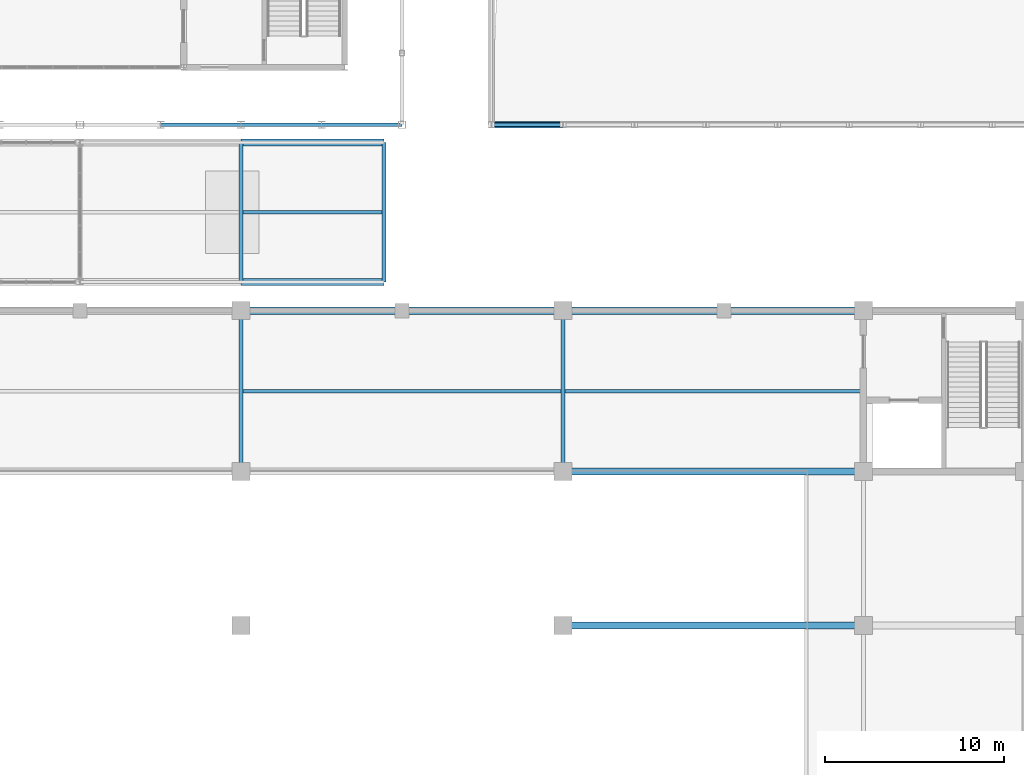
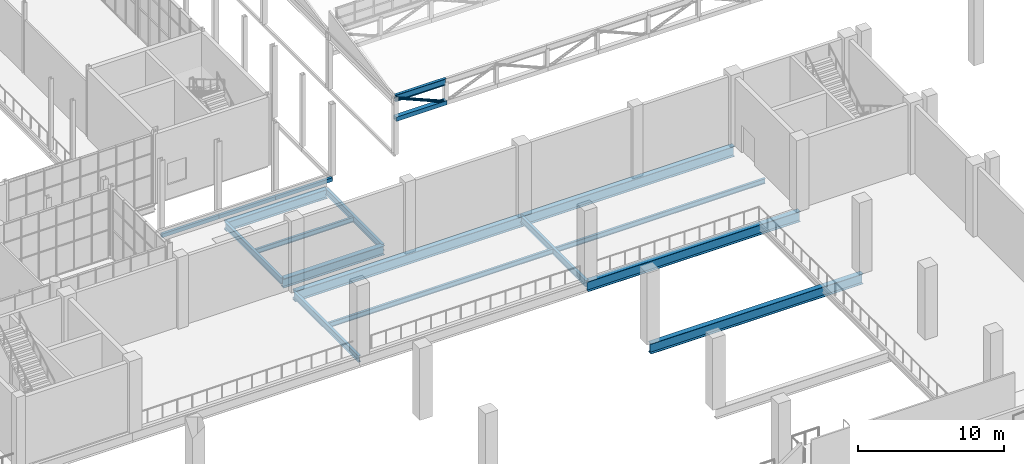
# One storey, part 69 of 159: 16 beams, 3 members.
"""IFC4 building model written with IfcOpenShell, lengths in metres."""

from ifc_helpers import new_model, si_unit, direction, frame, origin, origin_2d, place, context, subcontext, project, spatial, hollow_rectangle, hollow_circle, i_section, extrude, material, material_profile, profile_set, type_object, element, save


model = new_model("IFC4")

# Units and contexts
model_context = context("Model", 3, precision=1e-05, world=origin(), true_north=direction((0.0, 1.0)))
body_context = subcontext(model_context, "Body", "Model", "MODEL_VIEW")
ifc_project = project(units=[si_unit("LENGTHUNIT", "METRE"), si_unit("AREAUNIT", "SQUARE_METRE"), si_unit("VOLUMEUNIT", "CUBIC_METRE"), si_unit("PLANEANGLEUNIT", "RADIAN"), si_unit("MASSUNIT", "GRAM", prefix="KILO")], contexts=[model_context])

# Site, building, storey
site_placement = place(None, origin())
site = spatial("IfcSite", under=ifc_project, at=site_placement, CompositionType="ELEMENT")
building_placement = place(site_placement, origin())
building = spatial("IfcBuilding", under=site, at=building_placement, Name="Cazmaro Siding Exhibition Halls", CompositionType="ELEMENT")
storey_placement = place(building_placement, frame((0.0, 0.0, 6.0)))
storey = spatial("IfcBuildingStorey", under=building, at=storey_placement, Name="L01", CompositionType="ELEMENT", Elevation=6.0)

# Beams
ifc_material_1 = material(Name="Steel ASTM A992 Grade 50", Category="steel")
ifc_material_profile_1 = material_profile(ifc_material_1, i_section(OverallWidth=0.214111328125, OverallDepth=0.549072265625, WebThickness=0.014892578125, FlangeThickness=0.02392578125, at=origin_2d()), Name="W21X93")
ifc_profile_set_1 = profile_set([ifc_material_profile_1], Name="Steel ASTM A992 Grade 50")
beam_type_1 = type_object("IfcBeamType", Name="B-01", PredefinedType="BEAM", material=ifc_profile_set_1)
for number, where, z_axis, x_axis, name in (
    (1, (162.0, 44.60009765625, -0.52392578125), (0.0, 1.0, 0.0), (-1.0, 0.0, 0.0), "Beam B-01 BM-1287"),
    (2, (180.0, 44.60009765625, -0.52392578125), (0.0, 1.0, 0.0), (-1.0, 0.0, 0.0), "Beam B-01 BM-1289"),
):
    element("IfcBeam", number, at=place(storey_placement, frame(where, z_axis=z_axis, x_axis=x_axis)), inside=storey, type_object=beam_type_1, Name=name, PredefinedType="BEAM", context=body_context, shape_type="SweptSolid", body=[
        extrude(i_section(OverallWidth=0.214111328125, OverallDepth=0.549072265625, WebThickness=0.014892578125, FlangeThickness=0.02392578125, at=origin_2d()), origin(), (0.0, 0.0, 1.0), 9.0),
    ])
ifc_material_2 = material(Name="Steel ASTM A992 Grade 50", Category="steel")
ifc_material_profile_2 = material_profile(ifc_material_2, i_section(OverallWidth=0.2099609375, OverallDepth=0.535888671875, WebThickness=0.010986328125, FlangeThickness=0.01708984375, at=origin_2d()), Name="W21X68")
ifc_profile_set_2 = profile_set([ifc_material_profile_2], Name="Steel ASTM A992 Grade 50")
beam_type_2 = type_object("IfcBeamType", Name="B-02", PredefinedType="BEAM", material=ifc_profile_set_2)
for number, where, z_axis, x_axis, name in (
    (3, (162.0, 55.199951171875, -0.427978515625), (0.0, 1.0, 0.0), (-1.0, 0.0, 0.0), "Beam B-02 BM-1726"),
    (4, (170.0, 55.199951171875, -0.427978515625), (0.0, 1.0, 0.0), (-1.0, 0.0, 0.0), "Beam B-02 BM-1727"),
):
    element("IfcBeam", number, at=place(storey_placement, frame(where, z_axis=z_axis, x_axis=x_axis)), inside=storey, type_object=beam_type_2, Name=name, PredefinedType="BEAM", context=body_context, shape_type="SweptSolid", body=[
        extrude(i_section(OverallWidth=0.2099609375, OverallDepth=0.535888671875, WebThickness=0.010986328125, FlangeThickness=0.01708984375, at=origin_2d()), origin(), (0.0, 0.0, 1.0), 7.800048828125),
    ])
ifc_material_3 = material(Name="Steel ASTM A992 Grade 50", Category="steel")
ifc_material_profile_3 = material_profile(ifc_material_3, i_section(OverallWidth=0.381103515625, OverallDepth=0.779052734375, WebThickness=0.01806640625, FlangeThickness=0.030029296875, at=origin_2d()), Name="W30X191")
ifc_profile_set_3 = profile_set([ifc_material_profile_3], Name="Steel ASTM A992 Grade 50")
beam_type_3 = type_object("IfcBeamType", Name="G-04", PredefinedType="USERDEFINED", material=ifc_profile_set_3)
for number, where, z_axis, x_axis, name in (
    (5, (162.0, 55.199951171875, -0.550048828125), (1.0, 0.0, 0.0), (0.0, 1.0, 0.0), "Beam G-04 BM-1681"),
    (6, (162.0, 63.0, -0.550048828125), (1.0, 0.0, 0.0), (0.0, 1.0, 0.0), "Beam G-04 BM-1682"),
):
    element("IfcBeam", number, at=place(storey_placement, frame(where, z_axis=z_axis, x_axis=x_axis)), inside=storey, type_object=beam_type_3, Name=name, ObjectType="GIRDER", PredefinedType="USERDEFINED", context=body_context, shape_type="SweptSolid", body=[
        extrude(i_section(OverallWidth=0.381103515625, OverallDepth=0.779052734375, WebThickness=0.01806640625, FlangeThickness=0.030029296875, at=origin_2d()), origin(), (0.0, 0.0, 1.0), 8.0),
    ])
ifc_material_4 = material(Name="Steel ASTM A992 Grade 50", Category="steel")
ifc_material_profile_4 = material_profile(ifc_material_4, i_section(OverallWidth=0.40087890625, OverallDepth=0.85595703125, WebThickness=0.01806640625, FlangeThickness=0.029052734375, at=origin_2d()), Name="W33X201")
ifc_profile_set_4 = profile_set([ifc_material_profile_4], Name="Steel ASTM A992 Grade 50")
beam_type_4 = type_object("IfcBeamType", Name="G-09", PredefinedType="USERDEFINED", material=ifc_profile_set_4)
beam_1_placement = place(storey_placement, frame((162.0, 53.60009765625, -0.677978515625), z_axis=(1.0, 0.0, 0.0), x_axis=(0.0, 1.0, 0.0)))
element("IfcBeam", 7, at=beam_1_placement, inside=storey, type_object=beam_type_4, Name="Beam G-09 BM-1263", ObjectType="GIRDER", PredefinedType="USERDEFINED", context=body_context, shape_type="SweptSolid", body=[
    extrude(i_section(OverallWidth=0.40087890625, OverallDepth=0.85595703125, WebThickness=0.01806640625, FlangeThickness=0.029052734375, at=origin_2d()), origin(), (0.0, 0.0, 1.0), 18.0),
])
for number, where, z_axis, x_axis, name in (
    (8, (180.0, 44.60009765625, -0.677978515625), (1.0, 0.0, 0.0), (0.0, 1.0, 0.0), "Beam G-09 BM-1268"),
    (9, (180.0, 53.60009765625, -0.677978515625), (1.0, 0.0, 0.0), (0.0, 1.0, 0.0), "Beam G-09 BM-1269"),
    (10, (180.0, 36.0, -0.677978515625), (1.0, 0.0, 0.0), (0.0, 1.0, 0.0), "Beam G-09 BM-1296"),
):
    element("IfcBeam", number, at=place(storey_placement, frame(where, z_axis=z_axis, x_axis=x_axis)), inside=storey, type_object=beam_type_4, Name=name, ObjectType="GIRDER", PredefinedType="USERDEFINED", context=body_context, shape_type="SweptSolid", body=[
        extrude(i_section(OverallWidth=0.40087890625, OverallDepth=0.85595703125, WebThickness=0.01806640625, FlangeThickness=0.029052734375, at=origin_2d()), origin(), (0.0, 0.0, 1.0), 16.800048828125),
    ])
ifc_material_5 = material(Name="Steel ASTM A992 Grade 50", Category="steel")
ifc_material_profile_5 = material_profile(ifc_material_5, i_section(OverallWidth=0.177978515625, OverallDepth=0.406005859375, WebThickness=0.008056640625, FlangeThickness=0.012939453125, at=origin_2d()), Name="W16X40")
ifc_profile_set_5 = profile_set([ifc_material_profile_5], Name="Steel ASTM A992 Grade 50")
beam_type_5 = type_object("IfcBeamType", Name="J-02", PredefinedType="JOIST", material=ifc_profile_set_5)
beam_2_placement = place(storey_placement, frame((162.10498046875, 59.10009765625, -0.363037109375), z_axis=(1.0, 0.0, 0.0), x_axis=(0.0, 1.0, 0.0)))
element("IfcBeam", 11, at=beam_2_placement, inside=storey, type_object=beam_type_5, Name="Beam J-02 BM-1683", PredefinedType="JOIST", context=body_context, shape_type="SweptSolid", body=[
    extrude(i_section(OverallWidth=0.177978515625, OverallDepth=0.406005859375, WebThickness=0.008056640625, FlangeThickness=0.012939453125, at=origin_2d()), origin(), (0.0, 0.0, 1.0), 7.7900390625),
])
ifc_material_6 = material(Name="Steel ASTM A992 Grade 50", Category="steel")
ifc_material_profile_6 = material_profile(ifc_material_6, i_section(OverallWidth=0.180908203125, OverallDepth=0.4169921875, WebThickness=0.010986328125, FlangeThickness=0.01806640625, at=origin_2d()), Name="W16X57")
ifc_profile_set_6 = profile_set([ifc_material_profile_6], Name="Steel ASTM A992 Grade 50")
beam_type_6 = type_object("IfcBeamType", Name="J-03", PredefinedType="JOIST", material=ifc_profile_set_6)
beam_3_placement = place(storey_placement, frame((162.10693359375, 49.10009765625, -0.4580078125), z_axis=(1.0, 0.0, 0.0), x_axis=(0.0, 1.0, 0.0)))
element("IfcBeam", 12, at=beam_3_placement, inside=storey, type_object=beam_type_6, Name="Beam J-03 BM-1264", PredefinedType="JOIST", context=body_context, shape_type="SweptSolid", body=[
    extrude(i_section(OverallWidth=0.180908203125, OverallDepth=0.4169921875, WebThickness=0.010986328125, FlangeThickness=0.01806640625, at=origin_2d()), origin(), (0.0, 0.0, 1.0), 17.7861328125),
])
beam_4_placement = place(storey_placement, frame((180.10693359375, 49.10009765625, -0.4580078125), z_axis=(1.0, 0.0, 0.0), x_axis=(0.0, 1.0, 0.0)))
element("IfcBeam", 13, at=beam_4_placement, inside=storey, type_object=beam_type_6, Name="Beam J-03 BM-1270", PredefinedType="JOIST", context=body_context, shape_type="SweptSolid", body=[
    extrude(i_section(OverallWidth=0.180908203125, OverallDepth=0.4169921875, WebThickness=0.010986328125, FlangeThickness=0.01806640625, at=origin_2d()), origin(), (0.0, 0.0, 1.0), 16.586181640625),
])
ifc_material_7 = material(Name="Steel ASTM A500 Grade C", Category="steel")
ifc_material_profile_7 = material_profile(ifc_material_7, hollow_rectangle(XDim=0.202880859375, YDim=0.304931640625, WallThickness=0.011962890625, at=origin_2d()), Name="HSS12X8X1/2")
ifc_profile_set_7 = profile_set([ifc_material_profile_7], Name="Steel ASTM A500 Grade C")
beam_type_7 = type_object("IfcBeamType", Name="SP-01", PredefinedType="SPANDREL", material=ifc_profile_set_7)
for number, where, z_axis, x_axis, name in (
    (14, (157.5, 64.0, -0.3720703125), (1.0, 0.0, 0.0), (0.0, 1.0, 0.0), "Beam SP-01 BM-0211"),
    (15, (162.0, 64.0, -0.3720703125), (1.0, 0.0, 0.0), (0.0, 1.0, 0.0), "Beam SP-01 BM-0217"),
    (16, (166.5, 64.0, -0.3720703125), (1.0, 0.0, 0.0), (0.0, 1.0, 0.0), "Beam SP-01 BM-0223"),
):
    element("IfcBeam", number, at=place(storey_placement, frame(where, z_axis=z_axis, x_axis=x_axis)), inside=storey, type_object=beam_type_7, Name=name, PredefinedType="SPANDREL", context=body_context, shape_type="SweptSolid", body=[
        extrude(hollow_rectangle(XDim=0.202880859375, YDim=0.304931640625, WallThickness=0.011962890625, at=origin_2d()), origin(), (0.0, 0.0, 1.0), 4.5),
    ])

# Members
ifc_material_8 = material(Name="Steel ASTM A992 Grade 50", Category="steel")
ifc_material_profile_8 = material_profile(ifc_material_8, i_section(OverallWidth=0.214111328125, OverallDepth=0.549072265625, WebThickness=0.014892578125, FlangeThickness=0.02392578125, at=origin_2d()), Name="W21X93")
ifc_profile_set_8 = profile_set([ifc_material_profile_8], Name="Steel ASTM A992 Grade 50")
member_type_1 = type_object("IfcMemberType", Name="TC-04", PredefinedType="CHORD", material=ifc_profile_set_8)
member_1_placement = place(storey_placement, frame((176.0, 64.0, 4.64990234375), z_axis=(1.0, 0.0, 0.0), x_axis=(0.0, 1.0, 0.0)))
element("IfcMember", 17, at=member_1_placement, inside=storey, type_object=member_type_1, Name="Sawtooth truss top chord TC-04 MEM-2971", PredefinedType="CHORD", context=body_context, shape_type="SweptSolid", body=[
    extrude(i_section(OverallWidth=0.214111328125, OverallDepth=0.549072265625, WebThickness=0.014892578125, FlangeThickness=0.02392578125, at=origin_2d()), origin(), (0.0, 0.0, 1.0), 4.0),
])
ifc_material_9 = material(Name="Steel ASTM A500 Grade C", Category="steel")
ifc_material_profile_9 = material_profile(ifc_material_9, hollow_rectangle(XDim=0.35595703125, YDim=0.35595703125, WallThickness=0.014892578125, at=origin_2d()), Name="HSS14X14X5/8")
ifc_profile_set_9 = profile_set([ifc_material_profile_9], Name="Steel ASTM A500 Grade C")
member_type_2 = type_object("IfcMemberType", Name="TC-05", PredefinedType="CHORD", material=ifc_profile_set_9)
member_2_placement = place(storey_placement, frame((176.0, 64.0, 2.949951171875), z_axis=(1.0, 0.0, 0.0), x_axis=(0.0, 1.0, 0.0)))
element("IfcMember", 18, at=member_2_placement, inside=storey, type_object=member_type_2, Name="Sawtooth truss bottom chord TC-05 MEM-2972", PredefinedType="CHORD", context=body_context, shape_type="SweptSolid", body=[
    extrude(hollow_rectangle(XDim=0.35595703125, YDim=0.35595703125, WallThickness=0.014892578125, at=origin_2d()), origin(), (0.0, 0.0, 1.0), 4.0),
])
ifc_material_10 = material(Name="Steel ASTM A500 Grade C", Category="steel")
ifc_material_profile_10 = material_profile(ifc_material_10, hollow_circle(Radius=0.109619140625, WallThickness=0.012939453125, at=origin_2d()), Name="PIPE8XS")
ifc_profile_set_10 = profile_set([ifc_material_profile_10], Name="Steel ASTM A500 Grade C")
member_type_3 = type_object("IfcMemberType", Name="WB-01", PredefinedType="BRACE", material=ifc_profile_set_10)
member_3_placement = place(storey_placement, frame((176.0, 64.0, 4.64990234375), z_axis=(0.920334962612, 0.0, -0.391131124553), x_axis=(0.0, 1.0, 0.0)))
element("IfcMember", 19, at=member_3_placement, inside=storey, type_object=member_type_3, Name="Sawtooth truss diagonal WB-01 MEM-2973", PredefinedType="BRACE", context=body_context, shape_type="SweptSolid", body=[
    extrude(hollow_circle(Radius=0.109619140625, WallThickness=0.012939453125, at=origin_2d()), origin(), (0.0, 0.0, 1.0), 4.34619140625),
])

save(model, "model.ifc")
